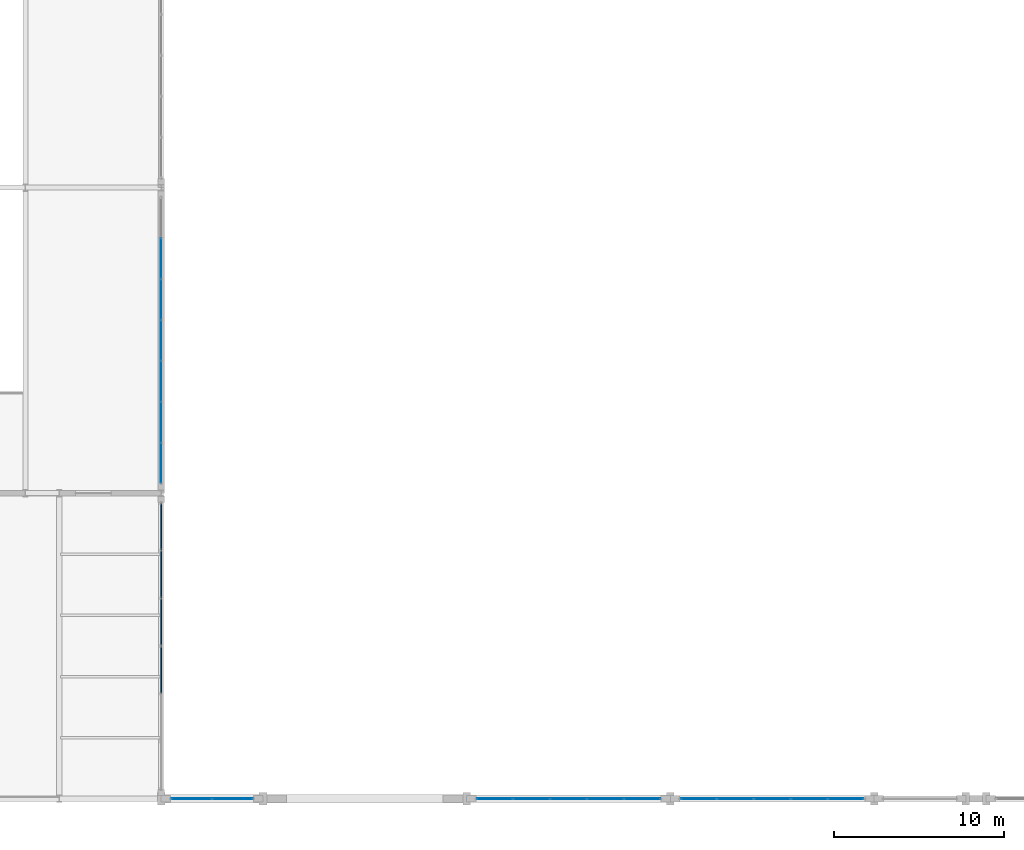
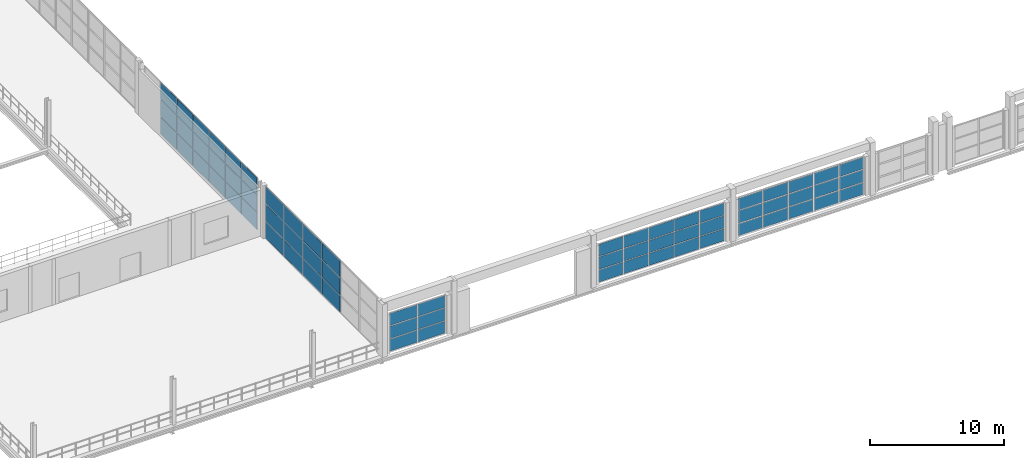
# One storey, part 120 of 147: 66 plates, 5 elements without a shape of their own.
"""IFC4 building model written with IfcOpenShell, lengths in metres."""

from ifc_helpers import new_model, si_unit, direction, frame, origin, origin_2d, place, context, subcontext, project, spatial, rectangle, extrude, material, layer, layer_set, type_object, element, aggregate, save


model = new_model("IFC4")

# Units and contexts
model_context = context("Model", 3, precision=1e-05, world=origin(), true_north=direction((0.0, 1.0)))
body_context = subcontext(model_context, "Body", "Model", "MODEL_VIEW")
ifc_project = project(units=[si_unit("LENGTHUNIT", "METRE"), si_unit("AREAUNIT", "SQUARE_METRE"), si_unit("VOLUMEUNIT", "CUBIC_METRE"), si_unit("PLANEANGLEUNIT", "RADIAN"), si_unit("MASSUNIT", "GRAM", prefix="KILO")], contexts=[model_context])

# Site, building, storey
site_placement = place(None, origin())
site = spatial("IfcSite", under=ifc_project, at=site_placement, CompositionType="ELEMENT")
building_placement = place(site_placement, origin())
building = spatial("IfcBuilding", under=site, at=building_placement, Name="Zilviju Railside Exhibition Hall", CompositionType="ELEMENT")
storey_placement = place(building_placement, frame((0.0, 0.0, 8.39990234375)))
storey = spatial("IfcBuildingStorey", under=building, at=storey_placement, Name="L03", CompositionType="ELEMENT", Elevation=8.39990234375)

# Curtain wall, plates
ifc_material_1 = material(Name="Thermally broken aluminium-steel triple-glazed curtain wall", Category="steel")
ifc_layer_1 = layer(ifc_material_1, 0.179931640625)
ifc_layer_set_1 = layer_set([ifc_layer_1], Name="Thermally broken aluminium-steel triple-glazed curtain wall")
curtain_wall_type_1 = type_object("IfcCurtainWallType", Name="CW-BAY-13", PredefinedType="USERDEFINED", material=ifc_layer_set_1)
curtain_wall_1_placement = place(storey_placement, origin())
curtain_wall_1 = element("IfcCurtainWall", 1, at=curtain_wall_1_placement, inside=storey, type_object=curtain_wall_type_1, Name="South Hall Facade Curtain Wall L03 (96..108)", ObjectType="GLAZED CURTAIN WALL", PredefinedType="USERDEFINED")
ifc_material_2 = material(Name="Laminated acoustic double-glazed porch unit", Category="glass")
ifc_layer_2 = layer(ifc_material_2, 0.031982421875)
ifc_layer_set_2 = layer_set([ifc_layer_2], Name="Laminated acoustic double-glazed porch unit")
plate_type_1 = type_object("IfcPlateType", Name="CWP-IGU-32", PredefinedType="CURTAIN_PANEL", material=ifc_layer_set_2)
plate_1_placement = place(storey_placement, frame((106.344970703125, 0.0, 0.06005859375), z_axis=(0.0, 0.0, 1.0), x_axis=(-1.0, 0.0, 0.0)))
plate_1 = element("IfcPlate", 2, at=plate_1_placement, type_object=plate_type_1, Name="CW-13 panel 1.1", PredefinedType="CURTAIN_PANEL", context=body_context, shape_type="SweptSolid", body=[
    extrude(rectangle(XDim=2.090087890625, YDim=0.031982421875, at=origin_2d()), origin(), (0.0, 0.0, 1.0), 1.096923828125),
])
plate_2_placement = place(storey_placement, frame((106.344970703125, 0.0, 1.217041015625), z_axis=(0.0, 0.0, 1.0), x_axis=(-1.0, 0.0, 0.0)))
plate_2 = element("IfcPlate", 3, at=plate_2_placement, type_object=plate_type_1, Name="CW-13 panel 1.2", PredefinedType="CURTAIN_PANEL", context=body_context, shape_type="SweptSolid", body=[
    extrude(rectangle(XDim=2.090087890625, YDim=0.031982421875, at=origin_2d()), origin(), (0.0, 0.0, 1.0), 1.1259765625),
])
plate_3_placement = place(storey_placement, frame((106.344970703125, 0.0, 2.4033203125), z_axis=(0.0, 0.0, 1.0), x_axis=(-1.0, 0.0, 0.0)))
plate_3 = element("IfcPlate", 4, at=plate_3_placement, type_object=plate_type_1, Name="CW-13 panel 1.3", PredefinedType="CURTAIN_PANEL", context=body_context, shape_type="SweptSolid", body=[
    extrude(rectangle(XDim=2.090087890625, YDim=0.031982421875, at=origin_2d()), origin(), (0.0, 0.0, 1.0), 1.096923828125),
])
plate_4_placement = place(storey_placement, frame((104.179931640625, 0.0, 0.06005859375), z_axis=(0.0, 0.0, 1.0), x_axis=(-1.0, 0.0, 0.0)))
plate_4 = element("IfcPlate", 5, at=plate_4_placement, type_object=plate_type_1, Name="CW-13 panel 2.1", PredefinedType="CURTAIN_PANEL", context=body_context, shape_type="SweptSolid", body=[
    extrude(rectangle(XDim=2.1201171875, YDim=0.031982421875, at=origin_2d()), origin(), (0.0, 0.0, 1.0), 1.096923828125),
])
plate_5_placement = place(storey_placement, frame((104.179931640625, 0.0, 1.217041015625), z_axis=(0.0, 0.0, 1.0), x_axis=(-1.0, 0.0, 0.0)))
plate_5 = element("IfcPlate", 6, at=plate_5_placement, type_object=plate_type_1, Name="CW-13 panel 2.2", PredefinedType="CURTAIN_PANEL", context=body_context, shape_type="SweptSolid", body=[
    extrude(rectangle(XDim=2.1201171875, YDim=0.031982421875, at=origin_2d()), origin(), (0.0, 0.0, 1.0), 1.1259765625),
])
plate_6_placement = place(storey_placement, frame((104.179931640625, 0.0, 2.4033203125), z_axis=(0.0, 0.0, 1.0), x_axis=(-1.0, 0.0, 0.0)))
plate_6 = element("IfcPlate", 7, at=plate_6_placement, type_object=plate_type_1, Name="CW-13 panel 2.3", PredefinedType="CURTAIN_PANEL", context=body_context, shape_type="SweptSolid", body=[
    extrude(rectangle(XDim=2.1201171875, YDim=0.031982421875, at=origin_2d()), origin(), (0.0, 0.0, 1.0), 1.096923828125),
])
plate_7_placement = place(storey_placement, frame((102.0, 0.0, 0.06005859375), z_axis=(0.0, 0.0, 1.0), x_axis=(-1.0, 0.0, 0.0)))
plate_7 = element("IfcPlate", 8, at=plate_7_placement, type_object=plate_type_1, Name="CW-13 panel 3.1", PredefinedType="CURTAIN_PANEL", context=body_context, shape_type="SweptSolid", body=[
    extrude(rectangle(XDim=2.1201171875, YDim=0.031982421875, at=origin_2d()), origin(), (0.0, 0.0, 1.0), 1.096923828125),
])
plate_8_placement = place(storey_placement, frame((102.0, 0.0, 1.217041015625), z_axis=(0.0, 0.0, 1.0), x_axis=(-1.0, 0.0, 0.0)))
plate_8 = element("IfcPlate", 9, at=plate_8_placement, type_object=plate_type_1, Name="CW-13 panel 3.2", PredefinedType="CURTAIN_PANEL", context=body_context, shape_type="SweptSolid", body=[
    extrude(rectangle(XDim=2.1201171875, YDim=0.031982421875, at=origin_2d()), origin(), (0.0, 0.0, 1.0), 1.1259765625),
])
plate_9_placement = place(storey_placement, frame((102.0, 0.0, 2.4033203125), z_axis=(0.0, 0.0, 1.0), x_axis=(-1.0, 0.0, 0.0)))
plate_9 = element("IfcPlate", 10, at=plate_9_placement, type_object=plate_type_1, Name="CW-13 panel 3.3", PredefinedType="CURTAIN_PANEL", context=body_context, shape_type="SweptSolid", body=[
    extrude(rectangle(XDim=2.1201171875, YDim=0.031982421875, at=origin_2d()), origin(), (0.0, 0.0, 1.0), 1.096923828125),
])
plate_10_placement = place(storey_placement, frame((99.820068359375, 0.0, 0.06005859375), z_axis=(0.0, 0.0, 1.0), x_axis=(-1.0, 0.0, 0.0)))
plate_10 = element("IfcPlate", 11, at=plate_10_placement, type_object=plate_type_1, Name="CW-13 panel 4.1", PredefinedType="CURTAIN_PANEL", context=body_context, shape_type="SweptSolid", body=[
    extrude(rectangle(XDim=2.1201171875, YDim=0.031982421875, at=origin_2d()), origin(), (0.0, 0.0, 1.0), 1.096923828125),
])
plate_11_placement = place(storey_placement, frame((99.820068359375, 0.0, 1.217041015625), z_axis=(0.0, 0.0, 1.0), x_axis=(-1.0, 0.0, 0.0)))
plate_11 = element("IfcPlate", 12, at=plate_11_placement, type_object=plate_type_1, Name="CW-13 panel 4.2", PredefinedType="CURTAIN_PANEL", context=body_context, shape_type="SweptSolid", body=[
    extrude(rectangle(XDim=2.1201171875, YDim=0.031982421875, at=origin_2d()), origin(), (0.0, 0.0, 1.0), 1.1259765625),
])
plate_12_placement = place(storey_placement, frame((99.820068359375, 0.0, 2.4033203125), z_axis=(0.0, 0.0, 1.0), x_axis=(-1.0, 0.0, 0.0)))
plate_12 = element("IfcPlate", 13, at=plate_12_placement, type_object=plate_type_1, Name="CW-13 panel 4.3", PredefinedType="CURTAIN_PANEL", context=body_context, shape_type="SweptSolid", body=[
    extrude(rectangle(XDim=2.1201171875, YDim=0.031982421875, at=origin_2d()), origin(), (0.0, 0.0, 1.0), 1.096923828125),
])
plate_13_placement = place(storey_placement, frame((97.655029296875, 0.0, 0.06005859375), z_axis=(0.0, 0.0, 1.0), x_axis=(-1.0, 0.0, 0.0)))
plate_13 = element("IfcPlate", 14, at=plate_13_placement, type_object=plate_type_1, Name="CW-13 panel 5.1", PredefinedType="CURTAIN_PANEL", context=body_context, shape_type="SweptSolid", body=[
    extrude(rectangle(XDim=2.090087890625, YDim=0.031982421875, at=origin_2d()), origin(), (0.0, 0.0, 1.0), 1.096923828125),
])
plate_14_placement = place(storey_placement, frame((97.655029296875, 0.0, 1.217041015625), z_axis=(0.0, 0.0, 1.0), x_axis=(-1.0, 0.0, 0.0)))
plate_14 = element("IfcPlate", 15, at=plate_14_placement, type_object=plate_type_1, Name="CW-13 panel 5.2", PredefinedType="CURTAIN_PANEL", context=body_context, shape_type="SweptSolid", body=[
    extrude(rectangle(XDim=2.090087890625, YDim=0.031982421875, at=origin_2d()), origin(), (0.0, 0.0, 1.0), 1.1259765625),
])
plate_15_placement = place(storey_placement, frame((97.655029296875, 0.0, 2.4033203125), z_axis=(0.0, 0.0, 1.0), x_axis=(-1.0, 0.0, 0.0)))
plate_15 = element("IfcPlate", 16, at=plate_15_placement, type_object=plate_type_1, Name="CW-13 panel 5.3", PredefinedType="CURTAIN_PANEL", context=body_context, shape_type="SweptSolid", body=[
    extrude(rectangle(XDim=2.090087890625, YDim=0.031982421875, at=origin_2d()), origin(), (0.0, 0.0, 1.0), 1.096923828125),
])
aggregate(curtain_wall_1, [plate_1, plate_2, plate_3, plate_4, plate_5, plate_6, plate_7, plate_8, plate_9, plate_10, plate_11, plate_12, plate_13, plate_14, plate_15])

ifc_layer_3 = layer(ifc_material_1, 0.179931640625)
ifc_layer_set_3 = layer_set([ifc_layer_3], Name="Thermally broken aluminium-steel triple-glazed curtain wall")
curtain_wall_type_2 = type_object("IfcCurtainWallType", Name="CW-BAY-12", PredefinedType="USERDEFINED", material=ifc_layer_set_3)
curtain_wall_2_placement = place(storey_placement, origin())
curtain_wall_2 = element("IfcCurtainWall", 17, at=curtain_wall_2_placement, inside=storey, type_object=curtain_wall_type_2, Name="South Hall Facade Curtain Wall L03 (78..84)", ObjectType="GLAZED CURTAIN WALL", PredefinedType="USERDEFINED")
ifc_material_3 = material(Name="Triple-glazed solar-control glass unit", Category="glass")
ifc_layer_4 = layer(ifc_material_3, 0.0380859375)
ifc_layer_set_4 = layer_set([ifc_layer_4], Name="Triple-glazed solar-control glass unit")
plate_type_2 = type_object("IfcPlateType", Name="CWP-IGU-38", PredefinedType="CURTAIN_PANEL", material=ifc_layer_set_4)
plate_16_placement = place(storey_placement, frame((82.208740234375, 0.0, 0.06494140625), z_axis=(0.0, 0.0, 1.0), x_axis=(-1.0, 0.0, 0.0)))
plate_16 = element("IfcPlate", 18, at=plate_16_placement, type_object=plate_type_2, Name="CW-12 panel 1.1", PredefinedType="CURTAIN_PANEL", context=body_context, shape_type="SweptSolid", body=[
    extrude(rectangle(XDim=2.3525390625, YDim=0.0380859375, at=origin_2d()), origin(), (0.0, 0.0, 1.0), 1.089599609375),
])
plate_17_placement = place(storey_placement, frame((82.208740234375, 0.0, 1.219482421875), z_axis=(0.0, 0.0, 1.0), x_axis=(-1.0, 0.0, 0.0)))
plate_17 = element("IfcPlate", 19, at=plate_17_placement, type_object=plate_type_2, Name="CW-12 panel 1.2", PredefinedType="CURTAIN_PANEL", context=body_context, shape_type="SweptSolid", body=[
    extrude(rectangle(XDim=2.3525390625, YDim=0.0380859375, at=origin_2d()), origin(), (0.0, 0.0, 1.0), 1.12109375),
])
plate_18_placement = place(storey_placement, frame((82.208740234375, 0.0, 2.40576171875), z_axis=(0.0, 0.0, 1.0), x_axis=(-1.0, 0.0, 0.0)))
plate_18 = element("IfcPlate", 20, at=plate_18_placement, type_object=plate_type_2, Name="CW-12 panel 1.3", PredefinedType="CURTAIN_PANEL", context=body_context, shape_type="SweptSolid", body=[
    extrude(rectangle(XDim=2.3525390625, YDim=0.0380859375, at=origin_2d()), origin(), (0.0, 0.0, 1.0), 1.089599609375),
])
plate_19_placement = place(storey_placement, frame((79.791259765625, 0.0, 0.06494140625), z_axis=(0.0, 0.0, 1.0), x_axis=(-1.0, 0.0, 0.0)))
plate_19 = element("IfcPlate", 21, at=plate_19_placement, type_object=plate_type_2, Name="CW-12 panel 2.1", PredefinedType="CURTAIN_PANEL", context=body_context, shape_type="SweptSolid", body=[
    extrude(rectangle(XDim=2.3525390625, YDim=0.0380859375, at=origin_2d()), origin(), (0.0, 0.0, 1.0), 1.089599609375),
])
plate_20_placement = place(storey_placement, frame((79.791259765625, 0.0, 1.219482421875), z_axis=(0.0, 0.0, 1.0), x_axis=(-1.0, 0.0, 0.0)))
plate_20 = element("IfcPlate", 22, at=plate_20_placement, type_object=plate_type_2, Name="CW-12 panel 2.2", PredefinedType="CURTAIN_PANEL", context=body_context, shape_type="SweptSolid", body=[
    extrude(rectangle(XDim=2.3525390625, YDim=0.0380859375, at=origin_2d()), origin(), (0.0, 0.0, 1.0), 1.12109375),
])
plate_21_placement = place(storey_placement, frame((79.791259765625, 0.0, 2.40576171875), z_axis=(0.0, 0.0, 1.0), x_axis=(-1.0, 0.0, 0.0)))
plate_21 = element("IfcPlate", 23, at=plate_21_placement, type_object=plate_type_2, Name="CW-12 panel 2.3", PredefinedType="CURTAIN_PANEL", context=body_context, shape_type="SweptSolid", body=[
    extrude(rectangle(XDim=2.3525390625, YDim=0.0380859375, at=origin_2d()), origin(), (0.0, 0.0, 1.0), 1.089599609375),
])
aggregate(curtain_wall_2, [plate_16, plate_17, plate_18, plate_19, plate_20, plate_21])

ifc_layer_5 = layer(ifc_material_1, 0.179931640625)
ifc_layer_set_5 = layer_set([ifc_layer_5], Name="Thermally broken aluminium-steel triple-glazed curtain wall")
curtain_wall_type_3 = type_object("IfcCurtainWallType", Name="CW-BAY-20", PredefinedType="USERDEFINED", material=ifc_layer_set_5)
curtain_wall_3_placement = place(storey_placement, origin())
curtain_wall_3 = element("IfcCurtainWall", 24, at=curtain_wall_3_placement, inside=storey, type_object=curtain_wall_type_3, Name="South Hall West Upper Glazed Gable (18..36)", ObjectType="GLAZED CURTAIN WALL", PredefinedType="USERDEFINED")
ifc_material_4 = material(Name="Triple-glazed low-E argon insulating glass unit", Category="glass")
ifc_layer_6 = layer(ifc_material_4, 0.0439453125)
ifc_layer_set_6 = layer_set([ifc_layer_6], Name="Triple-glazed low-E argon insulating glass unit")
plate_type_3 = type_object("IfcPlateType", Name="CWP-IGU-44", PredefinedType="CURTAIN_PANEL", material=ifc_layer_set_6)
plate_22_placement = place(storey_placement, frame((78.0, 19.77099609375, 0.05517578125), z_axis=(0.0, 0.0, 1.0), x_axis=(0.0, 1.0, 0.0)))
plate_22 = element("IfcPlate", 25, at=plate_22_placement, type_object=plate_type_3, Name="CW-20 panel 1.1", PredefinedType="CURTAIN_PANEL", context=body_context, shape_type="SweptSolid", body=[
    extrude(rectangle(XDim=2.331787109375, YDim=0.0439453125, at=origin_2d()), origin(), (0.0, 0.0, 1.0), 1.517578125),
])
plate_23_placement = place(storey_placement, frame((78.0, 19.77099609375, 1.627685546875), z_axis=(0.0, 0.0, 1.0), x_axis=(0.0, 1.0, 0.0)))
plate_23 = element("IfcPlate", 26, at=plate_23_placement, type_object=plate_type_3, Name="CW-20 panel 1.2", PredefinedType="CURTAIN_PANEL", context=body_context, shape_type="SweptSolid", body=[
    extrude(rectangle(XDim=2.331787109375, YDim=0.0439453125, at=origin_2d()), origin(), (0.0, 0.0, 1.0), 1.544921875),
])
plate_24_placement = place(storey_placement, frame((78.0, 19.77099609375, 3.2275390625), z_axis=(0.0, 0.0, 1.0), x_axis=(0.0, 1.0, 0.0)))
plate_24 = element("IfcPlate", 27, at=plate_24_placement, type_object=plate_type_3, Name="CW-20 panel 1.3", PredefinedType="CURTAIN_PANEL", context=body_context, shape_type="SweptSolid", body=[
    extrude(rectangle(XDim=2.331787109375, YDim=0.0439453125, at=origin_2d()), origin(), (0.0, 0.0, 1.0), 1.517578125),
])
plate_25_placement = place(storey_placement, frame((78.0, 22.17138671875, 0.05517578125), z_axis=(0.0, 0.0, 1.0), x_axis=(0.0, 1.0, 0.0)))
plate_25 = element("IfcPlate", 28, at=plate_25_placement, type_object=plate_type_3, Name="CW-20 panel 2.1", PredefinedType="CURTAIN_PANEL", context=body_context, shape_type="SweptSolid", body=[
    extrude(rectangle(XDim=2.359375, YDim=0.0439453125, at=origin_2d()), origin(), (0.0, 0.0, 1.0), 1.517578125),
])
plate_26_placement = place(storey_placement, frame((78.0, 22.17138671875, 1.627685546875), z_axis=(0.0, 0.0, 1.0), x_axis=(0.0, 1.0, 0.0)))
plate_26 = element("IfcPlate", 29, at=plate_26_placement, type_object=plate_type_3, Name="CW-20 panel 2.2", PredefinedType="CURTAIN_PANEL", context=body_context, shape_type="SweptSolid", body=[
    extrude(rectangle(XDim=2.359375, YDim=0.0439453125, at=origin_2d()), origin(), (0.0, 0.0, 1.0), 1.544921875),
])
plate_27_placement = place(storey_placement, frame((78.0, 22.17138671875, 3.2275390625), z_axis=(0.0, 0.0, 1.0), x_axis=(0.0, 1.0, 0.0)))
plate_27 = element("IfcPlate", 30, at=plate_27_placement, type_object=plate_type_3, Name="CW-20 panel 2.3", PredefinedType="CURTAIN_PANEL", context=body_context, shape_type="SweptSolid", body=[
    extrude(rectangle(XDim=2.359375, YDim=0.0439453125, at=origin_2d()), origin(), (0.0, 0.0, 1.0), 1.517578125),
])
plate_28_placement = place(storey_placement, frame((78.0, 24.585693359375, 0.05517578125), z_axis=(0.0, 0.0, 1.0), x_axis=(0.0, 1.0, 0.0)))
plate_28 = element("IfcPlate", 31, at=plate_28_placement, type_object=plate_type_3, Name="CW-20 panel 3.1", PredefinedType="CURTAIN_PANEL", context=body_context, shape_type="SweptSolid", body=[
    extrude(rectangle(XDim=2.359375, YDim=0.0439453125, at=origin_2d()), origin(), (0.0, 0.0, 1.0), 1.517578125),
])
plate_29_placement = place(storey_placement, frame((78.0, 24.585693359375, 1.627685546875), z_axis=(0.0, 0.0, 1.0), x_axis=(0.0, 1.0, 0.0)))
plate_29 = element("IfcPlate", 32, at=plate_29_placement, type_object=plate_type_3, Name="CW-20 panel 3.2", PredefinedType="CURTAIN_PANEL", context=body_context, shape_type="SweptSolid", body=[
    extrude(rectangle(XDim=2.359375, YDim=0.0439453125, at=origin_2d()), origin(), (0.0, 0.0, 1.0), 1.544921875),
])
plate_30_placement = place(storey_placement, frame((78.0, 24.585693359375, 3.2275390625), z_axis=(0.0, 0.0, 1.0), x_axis=(0.0, 1.0, 0.0)))
plate_30 = element("IfcPlate", 33, at=plate_30_placement, type_object=plate_type_3, Name="CW-20 panel 3.3", PredefinedType="CURTAIN_PANEL", context=body_context, shape_type="SweptSolid", body=[
    extrude(rectangle(XDim=2.359375, YDim=0.0439453125, at=origin_2d()), origin(), (0.0, 0.0, 1.0), 1.517578125),
])
plate_31_placement = place(storey_placement, frame((78.0, 27.0, 0.05517578125), z_axis=(0.0, 0.0, 1.0), x_axis=(0.0, 1.0, 0.0)))
plate_31 = element("IfcPlate", 34, at=plate_31_placement, type_object=plate_type_3, Name="CW-20 panel 4.1", PredefinedType="CURTAIN_PANEL", context=body_context, shape_type="SweptSolid", body=[
    extrude(rectangle(XDim=2.359375, YDim=0.0439453125, at=origin_2d()), origin(), (0.0, 0.0, 1.0), 1.517578125),
])
plate_32_placement = place(storey_placement, frame((78.0, 27.0, 1.627685546875), z_axis=(0.0, 0.0, 1.0), x_axis=(0.0, 1.0, 0.0)))
plate_32 = element("IfcPlate", 35, at=plate_32_placement, type_object=plate_type_3, Name="CW-20 panel 4.2", PredefinedType="CURTAIN_PANEL", context=body_context, shape_type="SweptSolid", body=[
    extrude(rectangle(XDim=2.359375, YDim=0.0439453125, at=origin_2d()), origin(), (0.0, 0.0, 1.0), 1.544921875),
])
plate_33_placement = place(storey_placement, frame((78.0, 27.0, 3.2275390625), z_axis=(0.0, 0.0, 1.0), x_axis=(0.0, 1.0, 0.0)))
plate_33 = element("IfcPlate", 36, at=plate_33_placement, type_object=plate_type_3, Name="CW-20 panel 4.3", PredefinedType="CURTAIN_PANEL", context=body_context, shape_type="SweptSolid", body=[
    extrude(rectangle(XDim=2.359375, YDim=0.0439453125, at=origin_2d()), origin(), (0.0, 0.0, 1.0), 1.517578125),
])
plate_34_placement = place(storey_placement, frame((78.0, 29.414306640625, 0.05517578125), z_axis=(0.0, 0.0, 1.0), x_axis=(0.0, 1.0, 0.0)))
plate_34 = element("IfcPlate", 37, at=plate_34_placement, type_object=plate_type_3, Name="CW-20 panel 5.1", PredefinedType="CURTAIN_PANEL", context=body_context, shape_type="SweptSolid", body=[
    extrude(rectangle(XDim=2.359375, YDim=0.0439453125, at=origin_2d()), origin(), (0.0, 0.0, 1.0), 1.517578125),
])
plate_35_placement = place(storey_placement, frame((78.0, 29.414306640625, 1.627685546875), z_axis=(0.0, 0.0, 1.0), x_axis=(0.0, 1.0, 0.0)))
plate_35 = element("IfcPlate", 38, at=plate_35_placement, type_object=plate_type_3, Name="CW-20 panel 5.2", PredefinedType="CURTAIN_PANEL", context=body_context, shape_type="SweptSolid", body=[
    extrude(rectangle(XDim=2.359375, YDim=0.0439453125, at=origin_2d()), origin(), (0.0, 0.0, 1.0), 1.544921875),
])
plate_36_placement = place(storey_placement, frame((78.0, 29.414306640625, 3.2275390625), z_axis=(0.0, 0.0, 1.0), x_axis=(0.0, 1.0, 0.0)))
plate_36 = element("IfcPlate", 39, at=plate_36_placement, type_object=plate_type_3, Name="CW-20 panel 5.3", PredefinedType="CURTAIN_PANEL", context=body_context, shape_type="SweptSolid", body=[
    extrude(rectangle(XDim=2.359375, YDim=0.0439453125, at=origin_2d()), origin(), (0.0, 0.0, 1.0), 1.517578125),
])
plate_37_placement = place(storey_placement, frame((78.0, 31.82861328125, 0.05517578125), z_axis=(0.0, 0.0, 1.0), x_axis=(0.0, 1.0, 0.0)))
plate_37 = element("IfcPlate", 40, at=plate_37_placement, type_object=plate_type_3, Name="CW-20 panel 6.1", PredefinedType="CURTAIN_PANEL", context=body_context, shape_type="SweptSolid", body=[
    extrude(rectangle(XDim=2.359375, YDim=0.0439453125, at=origin_2d()), origin(), (0.0, 0.0, 1.0), 1.517578125),
])
plate_38_placement = place(storey_placement, frame((78.0, 31.82861328125, 1.627685546875), z_axis=(0.0, 0.0, 1.0), x_axis=(0.0, 1.0, 0.0)))
plate_38 = element("IfcPlate", 41, at=plate_38_placement, type_object=plate_type_3, Name="CW-20 panel 6.2", PredefinedType="CURTAIN_PANEL", context=body_context, shape_type="SweptSolid", body=[
    extrude(rectangle(XDim=2.359375, YDim=0.0439453125, at=origin_2d()), origin(), (0.0, 0.0, 1.0), 1.544921875),
])
plate_39_placement = place(storey_placement, frame((78.0, 31.82861328125, 3.2275390625), z_axis=(0.0, 0.0, 1.0), x_axis=(0.0, 1.0, 0.0)))
plate_39 = element("IfcPlate", 42, at=plate_39_placement, type_object=plate_type_3, Name="CW-20 panel 6.3", PredefinedType="CURTAIN_PANEL", context=body_context, shape_type="SweptSolid", body=[
    extrude(rectangle(XDim=2.359375, YDim=0.0439453125, at=origin_2d()), origin(), (0.0, 0.0, 1.0), 1.517578125),
])
aggregate(curtain_wall_3, [plate_22, plate_23, plate_24, plate_25, plate_26, plate_27, plate_28, plate_29, plate_30, plate_31, plate_32, plate_33, plate_34, plate_35, plate_36, plate_37, plate_38, plate_39])

ifc_layer_7 = layer(ifc_material_1, 0.179931640625)
ifc_layer_set_7 = layer_set([ifc_layer_7], Name="Thermally broken aluminium-steel triple-glazed curtain wall")
curtain_wall_type_4 = type_object("IfcCurtainWallType", Name="CW-BAY-14", PredefinedType="USERDEFINED", material=ifc_layer_set_7)
curtain_wall_4_placement = place(storey_placement, origin())
curtain_wall_4 = element("IfcCurtainWall", 43, at=curtain_wall_4_placement, inside=storey, type_object=curtain_wall_type_4, Name="South Hall Facade Curtain Wall L03 (108..120)", ObjectType="GLAZED CURTAIN WALL", PredefinedType="USERDEFINED")
ifc_material_5 = material(Name="Insulated cobalt-blue enamelled spandrel glass panel", Category="glass")
ifc_layer_8 = layer(ifc_material_5, 0.052001953125)
ifc_layer_set_8 = layer_set([ifc_layer_8], Name="Insulated cobalt-blue enamelled spandrel glass panel")
plate_type_4 = type_object("IfcPlateType", Name="CWP-SPD-52", PredefinedType="CURTAIN_PANEL", material=ifc_layer_set_8)
plate_40_placement = place(storey_placement, frame((118.340087890625, 0.0, 0.080078125), z_axis=(0.0, 0.0, 1.0), x_axis=(-1.0, 0.0, 0.0)))
plate_40 = element("IfcPlate", 44, at=plate_40_placement, type_object=plate_type_4, Name="CW-14 panel 1.1", PredefinedType="CURTAIN_PANEL", context=body_context, shape_type="SweptSolid", body=[
    extrude(rectangle(XDim=2.06005859375, YDim=0.052001953125, at=origin_2d()), origin(), (0.0, 0.0, 1.0), 1.06689453125),
])
plate_41_placement = place(storey_placement, frame((118.340087890625, 0.0, 1.22705078125), z_axis=(0.0, 0.0, 1.0), x_axis=(-1.0, 0.0, 0.0)))
plate_41 = element("IfcPlate", 45, at=plate_41_placement, type_object=plate_type_4, Name="CW-14 panel 1.2", PredefinedType="CURTAIN_PANEL", context=body_context, shape_type="SweptSolid", body=[
    extrude(rectangle(XDim=2.06005859375, YDim=0.052001953125, at=origin_2d()), origin(), (0.0, 0.0, 1.0), 1.10595703125),
])
plate_42_placement = place(storey_placement, frame((118.340087890625, 0.0, 2.4130859375), z_axis=(0.0, 0.0, 1.0), x_axis=(-1.0, 0.0, 0.0)))
plate_42 = element("IfcPlate", 46, at=plate_42_placement, type_object=plate_type_4, Name="CW-14 panel 1.3", PredefinedType="CURTAIN_PANEL", context=body_context, shape_type="SweptSolid", body=[
    extrude(rectangle(XDim=2.06005859375, YDim=0.052001953125, at=origin_2d()), origin(), (0.0, 0.0, 1.0), 1.06689453125),
])
plate_43_placement = place(storey_placement, frame((116.179931640625, 0.0, 0.080078125), z_axis=(0.0, 0.0, 1.0), x_axis=(-1.0, 0.0, 0.0)))
plate_43 = element("IfcPlate", 47, at=plate_43_placement, type_object=plate_type_4, Name="CW-14 panel 2.1", PredefinedType="CURTAIN_PANEL", context=body_context, shape_type="SweptSolid", body=[
    extrude(rectangle(XDim=2.10009765625, YDim=0.052001953125, at=origin_2d()), origin(), (0.0, 0.0, 1.0), 1.06689453125),
])
plate_44_placement = place(storey_placement, frame((116.179931640625, 0.0, 1.22705078125), z_axis=(0.0, 0.0, 1.0), x_axis=(-1.0, 0.0, 0.0)))
plate_44 = element("IfcPlate", 48, at=plate_44_placement, type_object=plate_type_4, Name="CW-14 panel 2.2", PredefinedType="CURTAIN_PANEL", context=body_context, shape_type="SweptSolid", body=[
    extrude(rectangle(XDim=2.10009765625, YDim=0.052001953125, at=origin_2d()), origin(), (0.0, 0.0, 1.0), 1.10595703125),
])
plate_45_placement = place(storey_placement, frame((116.179931640625, 0.0, 2.4130859375), z_axis=(0.0, 0.0, 1.0), x_axis=(-1.0, 0.0, 0.0)))
plate_45 = element("IfcPlate", 49, at=plate_45_placement, type_object=plate_type_4, Name="CW-14 panel 2.3", PredefinedType="CURTAIN_PANEL", context=body_context, shape_type="SweptSolid", body=[
    extrude(rectangle(XDim=2.10009765625, YDim=0.052001953125, at=origin_2d()), origin(), (0.0, 0.0, 1.0), 1.06689453125),
])
plate_46_placement = place(storey_placement, frame((114.0, 0.0, 0.080078125), z_axis=(0.0, 0.0, 1.0), x_axis=(-1.0, 0.0, 0.0)))
plate_46 = element("IfcPlate", 50, at=plate_46_placement, type_object=plate_type_4, Name="CW-14 panel 3.1", PredefinedType="CURTAIN_PANEL", context=body_context, shape_type="SweptSolid", body=[
    extrude(rectangle(XDim=2.10009765625, YDim=0.052001953125, at=origin_2d()), origin(), (0.0, 0.0, 1.0), 1.06689453125),
])
plate_47_placement = place(storey_placement, frame((114.0, 0.0, 1.22705078125), z_axis=(0.0, 0.0, 1.0), x_axis=(-1.0, 0.0, 0.0)))
plate_47 = element("IfcPlate", 51, at=plate_47_placement, type_object=plate_type_4, Name="CW-14 panel 3.2", PredefinedType="CURTAIN_PANEL", context=body_context, shape_type="SweptSolid", body=[
    extrude(rectangle(XDim=2.10009765625, YDim=0.052001953125, at=origin_2d()), origin(), (0.0, 0.0, 1.0), 1.10595703125),
])
plate_48_placement = place(storey_placement, frame((114.0, 0.0, 2.4130859375), z_axis=(0.0, 0.0, 1.0), x_axis=(-1.0, 0.0, 0.0)))
plate_48 = element("IfcPlate", 52, at=plate_48_placement, type_object=plate_type_4, Name="CW-14 panel 3.3", PredefinedType="CURTAIN_PANEL", context=body_context, shape_type="SweptSolid", body=[
    extrude(rectangle(XDim=2.10009765625, YDim=0.052001953125, at=origin_2d()), origin(), (0.0, 0.0, 1.0), 1.06689453125),
])
plate_49_placement = place(storey_placement, frame((111.820068359375, 0.0, 0.080078125), z_axis=(0.0, 0.0, 1.0), x_axis=(-1.0, 0.0, 0.0)))
plate_49 = element("IfcPlate", 53, at=plate_49_placement, type_object=plate_type_4, Name="CW-14 panel 4.1", PredefinedType="CURTAIN_PANEL", context=body_context, shape_type="SweptSolid", body=[
    extrude(rectangle(XDim=2.10009765625, YDim=0.052001953125, at=origin_2d()), origin(), (0.0, 0.0, 1.0), 1.06689453125),
])
plate_50_placement = place(storey_placement, frame((111.820068359375, 0.0, 1.22705078125), z_axis=(0.0, 0.0, 1.0), x_axis=(-1.0, 0.0, 0.0)))
plate_50 = element("IfcPlate", 54, at=plate_50_placement, type_object=plate_type_4, Name="CW-14 panel 4.2", PredefinedType="CURTAIN_PANEL", context=body_context, shape_type="SweptSolid", body=[
    extrude(rectangle(XDim=2.10009765625, YDim=0.052001953125, at=origin_2d()), origin(), (0.0, 0.0, 1.0), 1.10595703125),
])
plate_51_placement = place(storey_placement, frame((111.820068359375, 0.0, 2.4130859375), z_axis=(0.0, 0.0, 1.0), x_axis=(-1.0, 0.0, 0.0)))
plate_51 = element("IfcPlate", 55, at=plate_51_placement, type_object=plate_type_4, Name="CW-14 panel 4.3", PredefinedType="CURTAIN_PANEL", context=body_context, shape_type="SweptSolid", body=[
    extrude(rectangle(XDim=2.10009765625, YDim=0.052001953125, at=origin_2d()), origin(), (0.0, 0.0, 1.0), 1.06689453125),
])
plate_52_placement = place(storey_placement, frame((109.659912109375, 0.0, 0.080078125), z_axis=(0.0, 0.0, 1.0), x_axis=(-1.0, 0.0, 0.0)))
plate_52 = element("IfcPlate", 56, at=plate_52_placement, type_object=plate_type_4, Name="CW-14 panel 5.1", PredefinedType="CURTAIN_PANEL", context=body_context, shape_type="SweptSolid", body=[
    extrude(rectangle(XDim=2.06005859375, YDim=0.052001953125, at=origin_2d()), origin(), (0.0, 0.0, 1.0), 1.06689453125),
])
plate_53_placement = place(storey_placement, frame((109.659912109375, 0.0, 1.22705078125), z_axis=(0.0, 0.0, 1.0), x_axis=(-1.0, 0.0, 0.0)))
plate_53 = element("IfcPlate", 57, at=plate_53_placement, type_object=plate_type_4, Name="CW-14 panel 5.2", PredefinedType="CURTAIN_PANEL", context=body_context, shape_type="SweptSolid", body=[
    extrude(rectangle(XDim=2.06005859375, YDim=0.052001953125, at=origin_2d()), origin(), (0.0, 0.0, 1.0), 1.10595703125),
])
plate_54_placement = place(storey_placement, frame((109.659912109375, 0.0, 2.4130859375), z_axis=(0.0, 0.0, 1.0), x_axis=(-1.0, 0.0, 0.0)))
plate_54 = element("IfcPlate", 58, at=plate_54_placement, type_object=plate_type_4, Name="CW-14 panel 5.3", PredefinedType="CURTAIN_PANEL", context=body_context, shape_type="SweptSolid", body=[
    extrude(rectangle(XDim=2.06005859375, YDim=0.052001953125, at=origin_2d()), origin(), (0.0, 0.0, 1.0), 1.06689453125),
])
aggregate(curtain_wall_4, [plate_40, plate_41, plate_42, plate_43, plate_44, plate_45, plate_46, plate_47, plate_48, plate_49, plate_50, plate_51, plate_52, plate_53, plate_54])

ifc_layer_9 = layer(ifc_material_1, 0.179931640625)
ifc_layer_set_9 = layer_set([ifc_layer_9], Name="Thermally broken aluminium-steel triple-glazed curtain wall")
curtain_wall_type_5 = type_object("IfcCurtainWallType", Name="CW-BAY-19", PredefinedType="USERDEFINED", material=ifc_layer_set_9)
curtain_wall_5_placement = place(storey_placement, origin())
curtain_wall_5 = element("IfcCurtainWall", 59, at=curtain_wall_5_placement, inside=storey, type_object=curtain_wall_type_5, Name="South Hall West Upper Glazed Gable (0..18)", ObjectType="GLAZED CURTAIN WALL", PredefinedType="USERDEFINED")
ifc_material_6 = material(Name="Insulated emerald ceramic-frit spandrel panel", Category="glass")
ifc_layer_10 = layer(ifc_material_6, 0.06396484375)
ifc_layer_set_10 = layer_set([ifc_layer_10], Name="Insulated emerald ceramic-frit spandrel panel")
plate_type_5 = type_object("IfcPlateType", Name="CWP-SPD-64", PredefinedType="CURTAIN_PANEL", material=ifc_layer_set_10)
plate_55_placement = place(storey_placement, frame((78.0, 7.591552734375, 0.0751953125), z_axis=(0.0, 0.0, 1.0), x_axis=(0.0, 1.0, 0.0)))
plate_55 = element("IfcPlate", 60, at=plate_55_placement, type_object=plate_type_5, Name="CW-19 panel 3.1", PredefinedType="CURTAIN_PANEL", context=body_context, shape_type="SweptSolid", body=[
    extrude(rectangle(XDim=2.74169921875, YDim=0.06396484375, at=origin_2d()), origin(), (0.0, 0.0, 1.0), 1.487548828125),
])
plate_56_placement = place(storey_placement, frame((78.0, 7.591552734375, 1.6376953125), z_axis=(0.0, 0.0, 1.0), x_axis=(0.0, 1.0, 0.0)))
plate_56 = element("IfcPlate", 61, at=plate_56_placement, type_object=plate_type_5, Name="CW-19 panel 3.2", PredefinedType="CURTAIN_PANEL", context=body_context, shape_type="SweptSolid", body=[
    extrude(rectangle(XDim=2.74169921875, YDim=0.06396484375, at=origin_2d()), origin(), (0.0, 0.0, 1.0), 1.52490234375),
])
plate_57_placement = place(storey_placement, frame((78.0, 7.591552734375, 3.23779296875), z_axis=(0.0, 0.0, 1.0), x_axis=(0.0, 1.0, 0.0)))
plate_57 = element("IfcPlate", 62, at=plate_57_placement, type_object=plate_type_5, Name="CW-19 panel 3.3", PredefinedType="CURTAIN_PANEL", context=body_context, shape_type="SweptSolid", body=[
    extrude(rectangle(XDim=2.74169921875, YDim=0.06396484375, at=origin_2d()), origin(), (0.0, 0.0, 1.0), 1.487548828125),
])
plate_58_placement = place(storey_placement, frame((78.0, 10.408447265625, 0.0751953125), z_axis=(0.0, 0.0, 1.0), x_axis=(0.0, 1.0, 0.0)))
plate_58 = element("IfcPlate", 63, at=plate_58_placement, type_object=plate_type_5, Name="CW-19 panel 4.1", PredefinedType="CURTAIN_PANEL", context=body_context, shape_type="SweptSolid", body=[
    extrude(rectangle(XDim=2.74169921875, YDim=0.06396484375, at=origin_2d()), origin(), (0.0, 0.0, 1.0), 1.487548828125),
])
plate_59_placement = place(storey_placement, frame((78.0, 10.408447265625, 1.6376953125), z_axis=(0.0, 0.0, 1.0), x_axis=(0.0, 1.0, 0.0)))
plate_59 = element("IfcPlate", 64, at=plate_59_placement, type_object=plate_type_5, Name="CW-19 panel 4.2", PredefinedType="CURTAIN_PANEL", context=body_context, shape_type="SweptSolid", body=[
    extrude(rectangle(XDim=2.74169921875, YDim=0.06396484375, at=origin_2d()), origin(), (0.0, 0.0, 1.0), 1.52490234375),
])
plate_60_placement = place(storey_placement, frame((78.0, 10.408447265625, 3.23779296875), z_axis=(0.0, 0.0, 1.0), x_axis=(0.0, 1.0, 0.0)))
plate_60 = element("IfcPlate", 65, at=plate_60_placement, type_object=plate_type_5, Name="CW-19 panel 4.3", PredefinedType="CURTAIN_PANEL", context=body_context, shape_type="SweptSolid", body=[
    extrude(rectangle(XDim=2.74169921875, YDim=0.06396484375, at=origin_2d()), origin(), (0.0, 0.0, 1.0), 1.487548828125),
])
plate_61_placement = place(storey_placement, frame((78.0, 13.22509765625, 0.0751953125), z_axis=(0.0, 0.0, 1.0), x_axis=(0.0, 1.0, 0.0)))
plate_61 = element("IfcPlate", 66, at=plate_61_placement, type_object=plate_type_5, Name="CW-19 panel 5.1", PredefinedType="CURTAIN_PANEL", context=body_context, shape_type="SweptSolid", body=[
    extrude(rectangle(XDim=2.74169921875, YDim=0.06396484375, at=origin_2d()), origin(), (0.0, 0.0, 1.0), 1.487548828125),
])
plate_62_placement = place(storey_placement, frame((78.0, 13.22509765625, 1.6376953125), z_axis=(0.0, 0.0, 1.0), x_axis=(0.0, 1.0, 0.0)))
plate_62 = element("IfcPlate", 67, at=plate_62_placement, type_object=plate_type_5, Name="CW-19 panel 5.2", PredefinedType="CURTAIN_PANEL", context=body_context, shape_type="SweptSolid", body=[
    extrude(rectangle(XDim=2.74169921875, YDim=0.06396484375, at=origin_2d()), origin(), (0.0, 0.0, 1.0), 1.52490234375),
])
plate_63_placement = place(storey_placement, frame((78.0, 13.22509765625, 3.23779296875), z_axis=(0.0, 0.0, 1.0), x_axis=(0.0, 1.0, 0.0)))
plate_63 = element("IfcPlate", 68, at=plate_63_placement, type_object=plate_type_5, Name="CW-19 panel 5.3", PredefinedType="CURTAIN_PANEL", context=body_context, shape_type="SweptSolid", body=[
    extrude(rectangle(XDim=2.74169921875, YDim=0.06396484375, at=origin_2d()), origin(), (0.0, 0.0, 1.0), 1.487548828125),
])
plate_64_placement = place(storey_placement, frame((78.0, 16.02294921875, 0.0751953125), z_axis=(0.0, 0.0, 1.0), x_axis=(0.0, 1.0, 0.0)))
plate_64 = element("IfcPlate", 69, at=plate_64_placement, type_object=plate_type_5, Name="CW-19 panel 6.1", PredefinedType="CURTAIN_PANEL", context=body_context, shape_type="SweptSolid", body=[
    extrude(rectangle(XDim=2.7041015625, YDim=0.06396484375, at=origin_2d()), origin(), (0.0, 0.0, 1.0), 1.487548828125),
])
plate_65_placement = place(storey_placement, frame((78.0, 16.02294921875, 1.6376953125), z_axis=(0.0, 0.0, 1.0), x_axis=(0.0, 1.0, 0.0)))
plate_65 = element("IfcPlate", 70, at=plate_65_placement, type_object=plate_type_5, Name="CW-19 panel 6.2", PredefinedType="CURTAIN_PANEL", context=body_context, shape_type="SweptSolid", body=[
    extrude(rectangle(XDim=2.7041015625, YDim=0.06396484375, at=origin_2d()), origin(), (0.0, 0.0, 1.0), 1.52490234375),
])
plate_66_placement = place(storey_placement, frame((78.0, 16.02294921875, 3.23779296875), z_axis=(0.0, 0.0, 1.0), x_axis=(0.0, 1.0, 0.0)))
plate_66 = element("IfcPlate", 71, at=plate_66_placement, type_object=plate_type_5, Name="CW-19 panel 6.3", PredefinedType="CURTAIN_PANEL", context=body_context, shape_type="SweptSolid", body=[
    extrude(rectangle(XDim=2.7041015625, YDim=0.06396484375, at=origin_2d()), origin(), (0.0, 0.0, 1.0), 1.487548828125),
])
aggregate(curtain_wall_5, [plate_55, plate_56, plate_57, plate_58, plate_59, plate_60, plate_61, plate_62, plate_63, plate_64, plate_65, plate_66])

save(model, "model.ifc")
